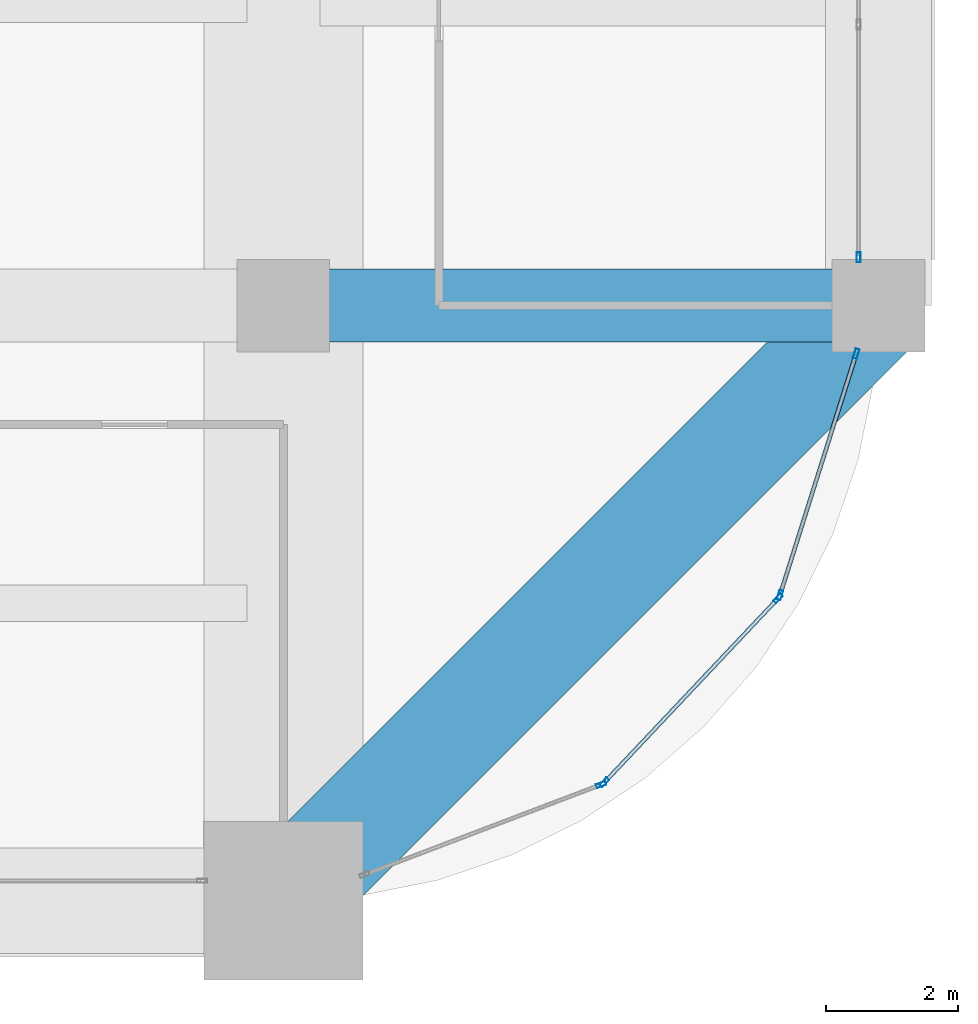
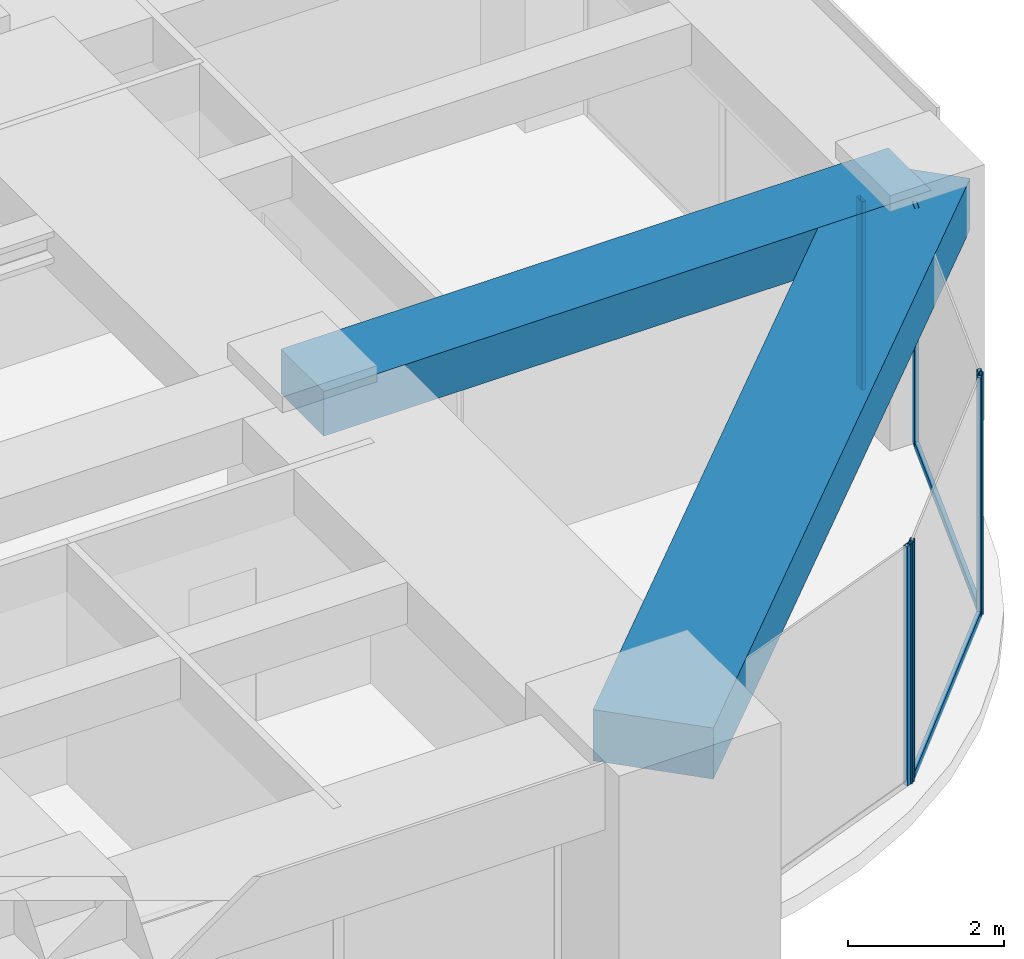
# One storey, part 16 of 35: 8 members, 2 beams, 4 elements without a shape of their own.
"""IFC4 building model written with IfcOpenShell, lengths in metres."""

from ifc_helpers import new_model, si_unit, direction, frame, origin, origin_2d, place, context, subcontext, project, spatial, rectangle, hollow_rectangle, extrude, material, material_profile, profile_set, type_object, element, aggregate, save


model = new_model("IFC4")

# Units and contexts
model_context = context("Model", 3, precision=1e-05, world=origin(), true_north=direction((0.0, 1.0)))
body_context = subcontext(model_context, "Body", "Model", "MODEL_VIEW")
ifc_project = project(units=[si_unit("LENGTHUNIT", "METRE"), si_unit("AREAUNIT", "SQUARE_METRE"), si_unit("VOLUMEUNIT", "CUBIC_METRE"), si_unit("PLANEANGLEUNIT", "RADIAN"), si_unit("MASSUNIT", "GRAM", prefix="KILO")], contexts=[model_context])

# Site, building, storey
site_placement = place(None, origin())
site = spatial("IfcSite", under=ifc_project, at=site_placement, CompositionType="ELEMENT")
building_placement = place(site_placement, origin())
building = spatial("IfcBuilding", under=site, at=building_placement, Name="Zorevar Civic Tower", CompositionType="ELEMENT")
storey_placement = place(building_placement, frame((0.0, 0.0, 218.199951171875)))
storey = spatial("IfcBuildingStorey", under=building, at=storey_placement, Name="L53", CompositionType="ELEMENT", Elevation=218.199951171875)

# Beam
ifc_material_1 = material(Name="Concrete C50/60", Category="concrete")
ifc_material_profile_1 = material_profile(ifc_material_1, rectangle(XDim=1.10009765625, YDim=0.699951171875, at=origin_2d()), Name="RC 1100x700")
ifc_profile_set_1 = profile_set([ifc_material_profile_1], Name="Concrete C50/60")
beam_type_1 = type_object("IfcBeamType", Name="Beam RC 1100x700", PredefinedType="BEAM", material=ifc_profile_set_1)
beam_1_placement = place(storey_placement, frame((45.0, 9.0, 3.400146484375), z_axis=(1.0, 0.0, 0.0), x_axis=(0.0, 1.0, 0.0)))
element("IfcBeam", 1, at=beam_1_placement, inside=storey, type_object=beam_type_1, Name="Girder L54", PredefinedType="BEAM", context=body_context, shape_type="SweptSolid", body=[
    extrude(rectangle(XDim=1.10009765625, YDim=0.699951171875, at=origin_2d()), origin(), (0.0, 0.0, 1.0), 9.0),
])

# Curtain wall, member
ifc_material_2 = material(Name="Dark grey solar-control glass in black aluminium frame", Category="aluminium")
curtain_wall_type = type_object("IfcCurtainWallType", Name="Curtain wall CW4 high zone", PredefinedType="NOTDEFINED", material=ifc_material_2)
curtain_wall_1_placement = place(storey_placement, origin())
curtain_wall_1 = element("IfcCurtainWall", 2, at=curtain_wall_1_placement, inside=storey, type_object=curtain_wall_type, Name="CW4 L53", PredefinedType="NOTDEFINED")
ifc_material_3 = material(Name="Aluminium, black anodised", Category="aluminium")
ifc_material_profile_2 = material_profile(ifc_material_3, hollow_rectangle(XDim=0.06005859375, YDim=0.14990234375, WallThickness=0.00390625, at=origin_2d()), Name="AL 150x60x4")
ifc_profile_set_2 = profile_set([ifc_material_profile_2], Name="Aluminium, black anodised")
member_type_1 = type_object("IfcMemberType", Name="CW4 mullion AL 150x60x4", PredefinedType="MULLION", material=ifc_profile_set_2)
member_1_placement = place(storey_placement, frame((53.699951171875, 9.72998046875, 0.0), z_axis=(0.0, 0.0, 1.0), x_axis=(-1.0, 0.0, 0.0)))
member_1 = element("IfcMember", 3, at=member_1_placement, type_object=member_type_1, Name="CW4 mullion 1", PredefinedType="MULLION", context=body_context, shape_type="SweptSolid", body=[
    extrude(hollow_rectangle(XDim=0.06005859375, YDim=0.14990234375, WallThickness=0.00390625, at=origin_2d()), origin(), (0.0, 0.0, 1.0), 2.949951171875),
])
aggregate(curtain_wall_1, [member_1])

curtain_wall_2_placement = place(storey_placement, origin())
curtain_wall_2 = element("IfcCurtainWall", 4, at=curtain_wall_2_placement, inside=storey, type_object=curtain_wall_type, Name="CW4 L53", PredefinedType="NOTDEFINED")
member_2_placement = place(storey_placement, frame((49.804931640625, 1.75537109375, 0.0), z_axis=(0.0, 0.0, 1.0), x_axis=(-0.355730895803, 0.93458842801, 0.0)))
member_2 = element("IfcMember", 5, at=member_2_placement, type_object=member_type_1, Name="CW4 mullion 2", PredefinedType="MULLION", context=body_context, shape_type="SweptSolid", body=[
    extrude(hollow_rectangle(XDim=0.06005859375, YDim=0.14990234375, WallThickness=0.00390625, at=origin_2d()), origin(), (0.0, 0.0, 1.0), 3.75),
])
aggregate(curtain_wall_2, [member_2])

# Curtain wall, members
curtain_wall_3_placement = place(storey_placement, origin())
curtain_wall_3 = element("IfcCurtainWall", 6, at=curtain_wall_3_placement, inside=storey, type_object=curtain_wall_type, Name="CW4 L53", PredefinedType="NOTDEFINED")
member_3_placement = place(storey_placement, frame((49.853759765625, 1.787841796875, 0.0), z_axis=(0.0, 0.0, 1.0), x_axis=(-0.727245053898, 0.686377907265, 0.0)))
member_3 = element("IfcMember", 7, at=member_3_placement, type_object=member_type_1, Name="CW4 mullion 1", PredefinedType="MULLION", context=body_context, shape_type="SweptSolid", body=[
    extrude(hollow_rectangle(XDim=0.06005859375, YDim=0.14990234375, WallThickness=0.00390625, at=origin_2d()), origin(), (0.0, 0.0, 1.0), 3.75),
])
member_4_placement = place(storey_placement, frame((52.480712890625, 4.5712890625, 0.0), z_axis=(0.0, 0.0, 1.0), x_axis=(-0.727245053898, 0.686377907265, 0.0)))
member_4 = element("IfcMember", 8, at=member_4_placement, type_object=member_type_1, Name="CW4 mullion 2", PredefinedType="MULLION", context=body_context, shape_type="SweptSolid", body=[
    extrude(hollow_rectangle(XDim=0.06005859375, YDim=0.14990234375, WallThickness=0.00390625, at=origin_2d()), origin(), (0.0, 0.0, 1.0), 3.75),
])

curtain_wall_4_placement = place(storey_placement, origin())
curtain_wall_4 = element("IfcCurtainWall", 9, at=curtain_wall_4_placement, inside=storey, type_object=curtain_wall_type, Name="CW4 L53", PredefinedType="NOTDEFINED")
member_5_placement = place(storey_placement, frame((52.51025390625, 4.62158203125, 0.0), z_axis=(0.0, 0.0, 1.0), x_axis=(-0.953589950678, 0.301108296077, 0.0)))
member_5 = element("IfcMember", 10, at=member_5_placement, type_object=member_type_1, Name="CW4 mullion 1", PredefinedType="MULLION", context=body_context, shape_type="SweptSolid", body=[
    extrude(hollow_rectangle(XDim=0.06005859375, YDim=0.14990234375, WallThickness=0.00390625, at=origin_2d()), origin(), (0.0, 0.0, 1.0), 3.75),
])
member_6_placement = place(storey_placement, frame((53.66259765625, 8.271484375, 0.0), z_axis=(0.0, 0.0, 1.0), x_axis=(-0.953589950678, 0.301108296077, 0.0)))
member_6 = element("IfcMember", 11, at=member_6_placement, type_object=member_type_1, Name="CW4 mullion 2", PredefinedType="MULLION", context=body_context, shape_type="SweptSolid", body=[
    extrude(hollow_rectangle(XDim=0.06005859375, YDim=0.14990234375, WallThickness=0.00390625, at=origin_2d()), origin(), (0.0, 0.0, 1.0), 3.75),
])

# Member
ifc_material_4 = material(Name="Aluminium, black anodised", Category="aluminium")
ifc_material_profile_3 = material_profile(ifc_material_4, hollow_rectangle(XDim=0.06005859375, YDim=0.1201171875, WallThickness=0.0029296875, at=origin_2d()), Name="AL 120x60x3")
ifc_profile_set_3 = profile_set([ifc_material_profile_3], Name="Aluminium, black anodised")
member_type_2 = type_object("IfcMemberType", Name="CW4 transom AL 120x60x3", PredefinedType="USERDEFINED", material=ifc_profile_set_3)
member_7_placement = place(storey_placement, frame((49.874267578125, 1.8095703125, 0.030029296875), z_axis=(0.686332338526, 0.727288059227, 0.0), x_axis=(-0.727288059227, 0.686332338526, 0.0)))
member_7 = element("IfcMember", 12, at=member_7_placement, type_object=member_type_2, Name="CW4 sill transom", ObjectType="TRANSOM", PredefinedType="USERDEFINED", context=body_context, shape_type="SweptSolid", body=[
    extrude(hollow_rectangle(XDim=0.06005859375, YDim=0.1201171875, WallThickness=0.0029296875, at=origin_2d()), origin(), (0.0, 0.0, 1.0), 3.767333984375),
])

aggregate(curtain_wall_3, [member_3, member_4, member_7])

member_8_placement = place(storey_placement, frame((52.519287109375, 4.650390625, 0.030029296875), z_axis=(0.301100351109, 0.953592459367, 0.0), x_axis=(-0.953592459367, 0.301100351109, 0.0)))
member_8 = element("IfcMember", 13, at=member_8_placement, type_object=member_type_2, Name="CW4 sill transom", ObjectType="TRANSOM", PredefinedType="USERDEFINED", context=body_context, shape_type="SweptSolid", body=[
    extrude(hollow_rectangle(XDim=0.06005859375, YDim=0.1201171875, WallThickness=0.0029296875, at=origin_2d()), origin(), (0.0, 0.0, 1.0), 3.76708984375),
])

aggregate(curtain_wall_4, [member_5, member_6, member_8])

# Beam
ifc_material_5 = material(Name="Concrete C50/60", Category="concrete")
ifc_material_profile_4 = material_profile(ifc_material_5, rectangle(XDim=1.60009765625, YDim=0.800048828125, at=origin_2d()), Name="RC 1600x800")
ifc_profile_set_4 = profile_set([ifc_material_profile_4], Name="Concrete C50/60")
beam_type_2 = type_object("IfcBeamType", Name="Edge beam RC 1600x800", PredefinedType="SPANDREL", material=ifc_profile_set_4)
beam_2_placement = place(storey_placement, frame((45.0, 0.0, 3.35009765625), z_axis=(0.707106781187, 0.707106781187, 0.0), x_axis=(-0.707106781187, 0.707106781187, 0.0)))
element("IfcBeam", 14, at=beam_2_placement, inside=storey, type_object=beam_type_2, Name="Corner edge beam L54", PredefinedType="SPANDREL", context=body_context, shape_type="SweptSolid", body=[
    extrude(rectangle(XDim=1.60009765625, YDim=0.800048828125, at=origin_2d()), origin(), (0.0, 0.0, 1.0), 12.72802734375),
])

save(model, "model.ifc")
